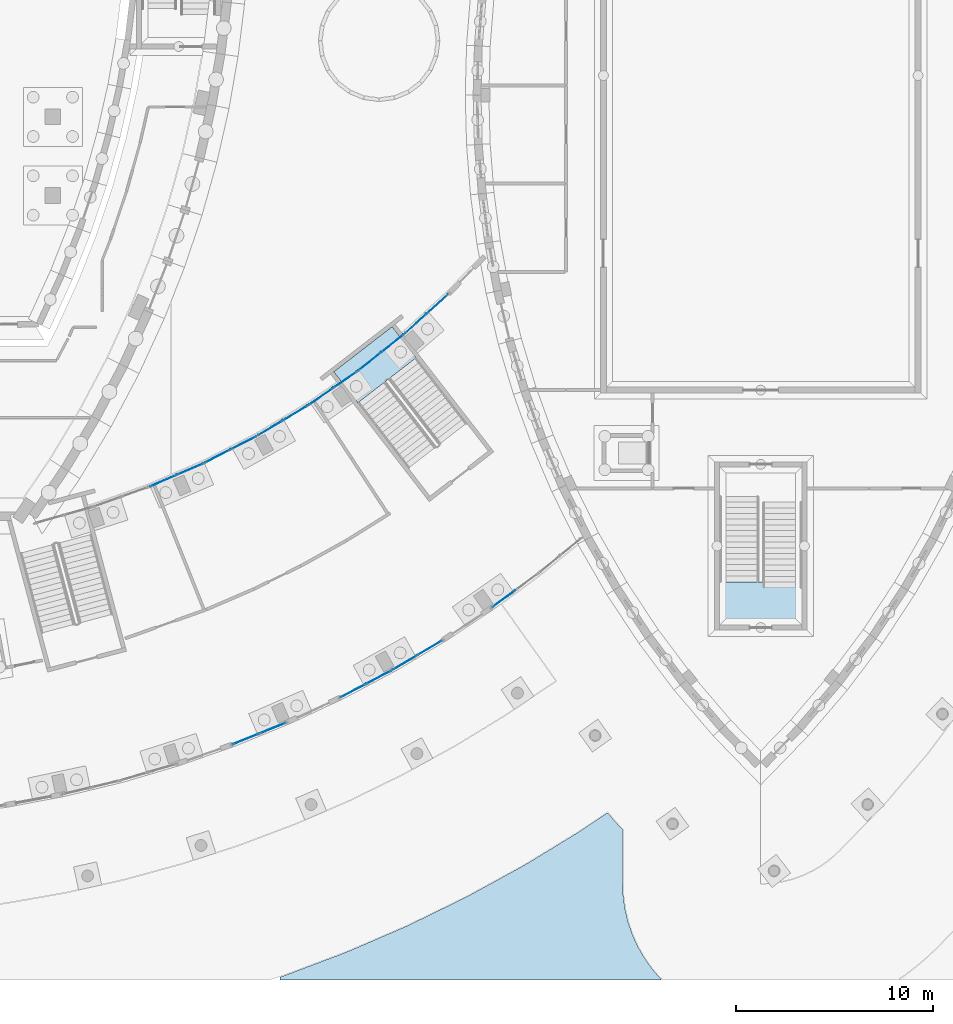
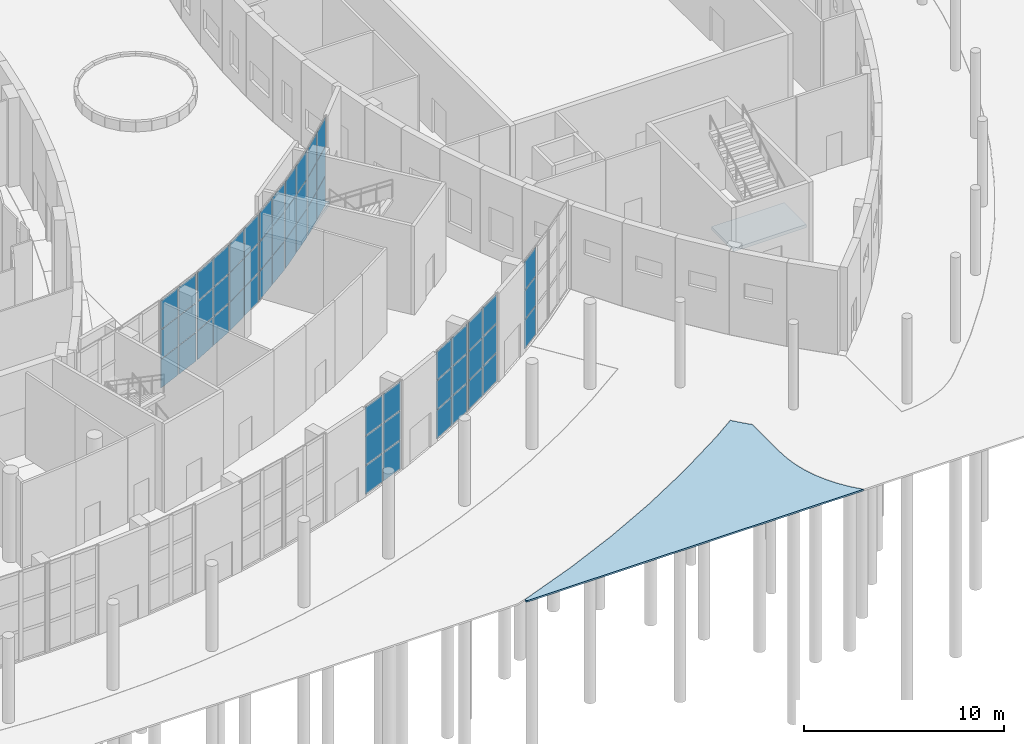
# One storey, part 32 of 82: 57 plates, 3 slabs, 12 elements without a shape of their own.
"""IFC4 building model written with IfcOpenShell, lengths in metres."""

from ifc_helpers import new_model, si_unit, direction, frame, origin, origin_2d, place, context, subcontext, project, spatial, polyline, rectangle, outline, extrude, material, layer, layer_set, type_object, element, aggregate, save


model = new_model("IFC4")

# Units and contexts
model_context = context("Model", 3, precision=1e-05, world=origin(), true_north=direction((0.0, 1.0)))
body_context = subcontext(model_context, "Body", "Model", "MODEL_VIEW")
ifc_project = project(units=[si_unit("LENGTHUNIT", "METRE"), si_unit("AREAUNIT", "SQUARE_METRE"), si_unit("VOLUMEUNIT", "CUBIC_METRE"), si_unit("PLANEANGLEUNIT", "RADIAN"), si_unit("MASSUNIT", "GRAM", prefix="KILO")], contexts=[model_context])

# Site, building, storey
site_placement = place(None, origin())
site = spatial("IfcSite", under=ifc_project, at=site_placement, CompositionType="ELEMENT")
building_placement = place(site_placement, origin())
building = spatial("IfcBuilding", under=site, at=building_placement, Name="Tide Square Theatres", CompositionType="ELEMENT")
storey_placement = place(building_placement, origin())
storey = spatial("IfcBuildingStorey", under=building, at=storey_placement, Name="L00", CompositionType="ELEMENT", Elevation=0.0)

# Curtain wall, plates
ifc_material_1 = material(Name="Aluminium 6063-T5", Category="aluminium")
curtain_wall_type = type_object("IfcCurtainWallType", Name="Unitised system curtain wall 5400 high", PredefinedType="USERDEFINED", material=ifc_material_1)
curtain_wall_1_placement = place(storey_placement, origin())
curtain_wall_1 = element("IfcCurtainWall", 1, at=curtain_wall_1_placement, inside=storey, type_object=curtain_wall_type, Name="Foyer outer curtain wall", ObjectType="UNITISED SYSTEM", PredefinedType="USERDEFINED")
ifc_material_2 = material(Name="Double-glazed unit with aluminium frame", Category="aluminium")
ifc_layer_1 = layer(ifc_material_2, 0.030029296875)
ifc_layer_set_1 = layer_set([ifc_layer_1], Name="Double-glazed unit with aluminium frame")
plate_type = type_object("IfcPlateType", Name="Curtain wall panel 30 thick", PredefinedType="CURTAIN_PANEL", material=ifc_layer_set_1)
plate_1_placement = place(storey_placement, frame((105.810546875, 12.254150390625, 0.050048828125), z_axis=(0.0, 0.0, 1.0), x_axis=(0.9267285887, 0.375731450489, 0.0)))
plate_1 = element("IfcPlate", 2, at=plate_1_placement, type_object=plate_type, Name="CW-01 panel 1.1", PredefinedType="CURTAIN_PANEL", context=body_context, shape_type="SweptSolid", body=[
    extrude(rectangle(XDim=1.407958984375, YDim=0.030029296875, at=origin_2d()), origin(), (0.0, 0.0, 1.0), 1.72509765625),
])
plate_2_placement = place(storey_placement, frame((105.810546875, 12.254150390625, 1.824951171875), z_axis=(0.0, 0.0, 1.0), x_axis=(0.9267285887, 0.375731450489, 0.0)))
plate_2 = element("IfcPlate", 3, at=plate_2_placement, type_object=plate_type, Name="CW-01 panel 1.2", PredefinedType="CURTAIN_PANEL", context=body_context, shape_type="SweptSolid", body=[
    extrude(rectangle(XDim=1.407958984375, YDim=0.030029296875, at=origin_2d()), origin(), (0.0, 0.0, 1.0), 1.75),
])
plate_3_placement = place(storey_placement, frame((105.810546875, 12.254150390625, 3.625), z_axis=(0.0, 0.0, 1.0), x_axis=(0.9267285887, 0.375731450489, 0.0)))
plate_3 = element("IfcPlate", 4, at=plate_3_placement, type_object=plate_type, Name="CW-01 panel 1.3", PredefinedType="CURTAIN_PANEL", context=body_context, shape_type="SweptSolid", body=[
    extrude(rectangle(XDim=1.407958984375, YDim=0.030029296875, at=origin_2d()), origin(), (0.0, 0.0, 1.0), 1.72509765625),
])
plate_4_placement = place(storey_placement, frame((107.171142578125, 12.8056640625, 0.050048828125), z_axis=(0.0, 0.0, 1.0), x_axis=(0.9267285887, 0.375731450489, 0.0)))
plate_4 = element("IfcPlate", 5, at=plate_4_placement, type_object=plate_type, Name="CW-01 panel 2.1", PredefinedType="CURTAIN_PANEL", context=body_context, shape_type="SweptSolid", body=[
    extrude(rectangle(XDim=1.407958984375, YDim=0.030029296875, at=origin_2d()), origin(), (0.0, 0.0, 1.0), 1.72509765625),
])
plate_5_placement = place(storey_placement, frame((107.171142578125, 12.8056640625, 1.824951171875), z_axis=(0.0, 0.0, 1.0), x_axis=(0.9267285887, 0.375731450489, 0.0)))
plate_5 = element("IfcPlate", 6, at=plate_5_placement, type_object=plate_type, Name="CW-01 panel 2.2", PredefinedType="CURTAIN_PANEL", context=body_context, shape_type="SweptSolid", body=[
    extrude(rectangle(XDim=1.407958984375, YDim=0.030029296875, at=origin_2d()), origin(), (0.0, 0.0, 1.0), 1.75),
])
plate_6_placement = place(storey_placement, frame((107.171142578125, 12.8056640625, 3.625), z_axis=(0.0, 0.0, 1.0), x_axis=(0.9267285887, 0.375731450489, 0.0)))
plate_6 = element("IfcPlate", 7, at=plate_6_placement, type_object=plate_type, Name="CW-01 panel 2.3", PredefinedType="CURTAIN_PANEL", context=body_context, shape_type="SweptSolid", body=[
    extrude(rectangle(XDim=1.407958984375, YDim=0.030029296875, at=origin_2d()), origin(), (0.0, 0.0, 1.0), 1.72509765625),
])
aggregate(curtain_wall_1, [plate_1, plate_2, plate_3, plate_4, plate_5, plate_6])

curtain_wall_2_placement = place(storey_placement, origin())
curtain_wall_2 = element("IfcCurtainWall", 8, at=curtain_wall_2_placement, inside=storey, type_object=curtain_wall_type, Name="Foyer outer curtain wall", ObjectType="UNITISED SYSTEM", PredefinedType="USERDEFINED")
plate_7_placement = place(storey_placement, frame((111.271484375, 14.71240234375, 0.050048828125), z_axis=(0.0, 0.0, 1.0), x_axis=(0.88454506315, 0.466454747277, 0.0)))
plate_7 = element("IfcPlate", 9, at=plate_7_placement, type_object=plate_type, Name="CW-01 panel 1.1", PredefinedType="CURTAIN_PANEL", context=body_context, shape_type="SweptSolid", body=[
    extrude(rectangle(XDim=1.407958984375, YDim=0.030029296875, at=origin_2d()), origin(), (0.0, 0.0, 1.0), 1.72509765625),
])
plate_8_placement = place(storey_placement, frame((111.271484375, 14.71240234375, 1.824951171875), z_axis=(0.0, 0.0, 1.0), x_axis=(0.88454506315, 0.466454747277, 0.0)))
plate_8 = element("IfcPlate", 10, at=plate_8_placement, type_object=plate_type, Name="CW-01 panel 1.2", PredefinedType="CURTAIN_PANEL", context=body_context, shape_type="SweptSolid", body=[
    extrude(rectangle(XDim=1.407958984375, YDim=0.030029296875, at=origin_2d()), origin(), (0.0, 0.0, 1.0), 1.75),
])
plate_9_placement = place(storey_placement, frame((111.271484375, 14.71240234375, 3.625), z_axis=(0.0, 0.0, 1.0), x_axis=(0.88454506315, 0.466454747277, 0.0)))
plate_9 = element("IfcPlate", 11, at=plate_9_placement, type_object=plate_type, Name="CW-01 panel 1.3", PredefinedType="CURTAIN_PANEL", context=body_context, shape_type="SweptSolid", body=[
    extrude(rectangle(XDim=1.407958984375, YDim=0.030029296875, at=origin_2d()), origin(), (0.0, 0.0, 1.0), 1.72509765625),
])
plate_10_placement = place(storey_placement, frame((112.570068359375, 15.397216796875, 0.050048828125), z_axis=(0.0, 0.0, 1.0), x_axis=(0.88454506315, 0.466454747277, 0.0)))
plate_10 = element("IfcPlate", 12, at=plate_10_placement, type_object=plate_type, Name="CW-01 panel 2.1", PredefinedType="CURTAIN_PANEL", context=body_context, shape_type="SweptSolid", body=[
    extrude(rectangle(XDim=1.407958984375, YDim=0.030029296875, at=origin_2d()), origin(), (0.0, 0.0, 1.0), 1.72509765625),
])
plate_11_placement = place(storey_placement, frame((112.570068359375, 15.397216796875, 1.824951171875), z_axis=(0.0, 0.0, 1.0), x_axis=(0.88454506315, 0.466454747277, 0.0)))
plate_11 = element("IfcPlate", 13, at=plate_11_placement, type_object=plate_type, Name="CW-01 panel 2.2", PredefinedType="CURTAIN_PANEL", context=body_context, shape_type="SweptSolid", body=[
    extrude(rectangle(XDim=1.407958984375, YDim=0.030029296875, at=origin_2d()), origin(), (0.0, 0.0, 1.0), 1.75),
])
plate_12_placement = place(storey_placement, frame((112.570068359375, 15.397216796875, 3.625), z_axis=(0.0, 0.0, 1.0), x_axis=(0.88454506315, 0.466454747277, 0.0)))
plate_12 = element("IfcPlate", 14, at=plate_12_placement, type_object=plate_type, Name="CW-01 panel 2.3", PredefinedType="CURTAIN_PANEL", context=body_context, shape_type="SweptSolid", body=[
    extrude(rectangle(XDim=1.407958984375, YDim=0.030029296875, at=origin_2d()), origin(), (0.0, 0.0, 1.0), 1.72509765625),
])
aggregate(curtain_wall_2, [plate_7, plate_8, plate_9, plate_10, plate_11, plate_12])

curtain_wall_3_placement = place(storey_placement, origin())
curtain_wall_3 = element("IfcCurtainWall", 15, at=curtain_wall_3_placement, inside=storey, type_object=curtain_wall_type, Name="Foyer outer curtain wall", ObjectType="UNITISED SYSTEM", PredefinedType="USERDEFINED")
plate_13_placement = place(storey_placement, frame((113.90283203125, 16.143310546875, 0.050048828125), z_axis=(0.0, 0.0, 1.0), x_axis=(0.860100079703, 0.510125330576, 0.0)))
plate_13 = element("IfcPlate", 16, at=plate_13_placement, type_object=plate_type, Name="CW-01 panel 1.1", PredefinedType="CURTAIN_PANEL", context=body_context, shape_type="SweptSolid", body=[
    extrude(rectangle(XDim=1.407958984375, YDim=0.030029296875, at=origin_2d()), origin(), (0.0, 0.0, 1.0), 1.72509765625),
])
plate_14_placement = place(storey_placement, frame((113.90283203125, 16.143310546875, 1.824951171875), z_axis=(0.0, 0.0, 1.0), x_axis=(0.860100079703, 0.510125330576, 0.0)))
plate_14 = element("IfcPlate", 17, at=plate_14_placement, type_object=plate_type, Name="CW-01 panel 1.2", PredefinedType="CURTAIN_PANEL", context=body_context, shape_type="SweptSolid", body=[
    extrude(rectangle(XDim=1.407958984375, YDim=0.030029296875, at=origin_2d()), origin(), (0.0, 0.0, 1.0), 1.75),
])
plate_15_placement = place(storey_placement, frame((113.90283203125, 16.143310546875, 3.625), z_axis=(0.0, 0.0, 1.0), x_axis=(0.860100079703, 0.510125330576, 0.0)))
plate_15 = element("IfcPlate", 18, at=plate_15_placement, type_object=plate_type, Name="CW-01 panel 1.3", PredefinedType="CURTAIN_PANEL", context=body_context, shape_type="SweptSolid", body=[
    extrude(rectangle(XDim=1.407958984375, YDim=0.030029296875, at=origin_2d()), origin(), (0.0, 0.0, 1.0), 1.72509765625),
])
plate_16_placement = place(storey_placement, frame((115.16552734375, 16.89208984375, 0.050048828125), z_axis=(0.0, 0.0, 1.0), x_axis=(0.860100079703, 0.510125330576, 0.0)))
plate_16 = element("IfcPlate", 19, at=plate_16_placement, type_object=plate_type, Name="CW-01 panel 2.1", PredefinedType="CURTAIN_PANEL", context=body_context, shape_type="SweptSolid", body=[
    extrude(rectangle(XDim=1.407958984375, YDim=0.030029296875, at=origin_2d()), origin(), (0.0, 0.0, 1.0), 1.72509765625),
])
plate_17_placement = place(storey_placement, frame((115.16552734375, 16.89208984375, 1.824951171875), z_axis=(0.0, 0.0, 1.0), x_axis=(0.860100079703, 0.510125330576, 0.0)))
plate_17 = element("IfcPlate", 20, at=plate_17_placement, type_object=plate_type, Name="CW-01 panel 2.2", PredefinedType="CURTAIN_PANEL", context=body_context, shape_type="SweptSolid", body=[
    extrude(rectangle(XDim=1.407958984375, YDim=0.030029296875, at=origin_2d()), origin(), (0.0, 0.0, 1.0), 1.75),
])
plate_18_placement = place(storey_placement, frame((115.16552734375, 16.89208984375, 3.625), z_axis=(0.0, 0.0, 1.0), x_axis=(0.860100079703, 0.510125330576, 0.0)))
plate_18 = element("IfcPlate", 21, at=plate_18_placement, type_object=plate_type, Name="CW-01 panel 2.3", PredefinedType="CURTAIN_PANEL", context=body_context, shape_type="SweptSolid", body=[
    extrude(rectangle(XDim=1.407958984375, YDim=0.030029296875, at=origin_2d()), origin(), (0.0, 0.0, 1.0), 1.72509765625),
])
aggregate(curtain_wall_3, [plate_13, plate_14, plate_15, plate_16, plate_17, plate_18])

curtain_wall_4_placement = place(storey_placement, origin())
curtain_wall_4 = element("IfcCurtainWall", 22, at=curtain_wall_4_placement, inside=storey, type_object=curtain_wall_type, Name="Foyer outer curtain wall", ObjectType="UNITISED SYSTEM", PredefinedType="USERDEFINED")
plate_19_placement = place(storey_placement, frame((118.9345703125, 19.390625, 0.050048828125), z_axis=(0.0, 0.0, 1.0), x_axis=(0.804828419201, 0.593507553151, 0.0)))
plate_19 = element("IfcPlate", 23, at=plate_19_placement, type_object=plate_type, Name="CW-01 panel 1.1", PredefinedType="CURTAIN_PANEL", context=body_context, shape_type="SweptSolid", body=[
    extrude(rectangle(XDim=1.407958984375, YDim=0.030029296875, at=origin_2d()), origin(), (0.0, 0.0, 1.0), 1.72509765625),
])
plate_20_placement = place(storey_placement, frame((118.9345703125, 19.390625, 1.824951171875), z_axis=(0.0, 0.0, 1.0), x_axis=(0.804828419201, 0.593507553151, 0.0)))
plate_20 = element("IfcPlate", 24, at=plate_20_placement, type_object=plate_type, Name="CW-01 panel 1.2", PredefinedType="CURTAIN_PANEL", context=body_context, shape_type="SweptSolid", body=[
    extrude(rectangle(XDim=1.407958984375, YDim=0.030029296875, at=origin_2d()), origin(), (0.0, 0.0, 1.0), 1.75),
])
plate_21_placement = place(storey_placement, frame((118.9345703125, 19.390625, 3.625), z_axis=(0.0, 0.0, 1.0), x_axis=(0.804828419201, 0.593507553151, 0.0)))
plate_21 = element("IfcPlate", 25, at=plate_21_placement, type_object=plate_type, Name="CW-01 panel 1.3", PredefinedType="CURTAIN_PANEL", context=body_context, shape_type="SweptSolid", body=[
    extrude(rectangle(XDim=1.407958984375, YDim=0.030029296875, at=origin_2d()), origin(), (0.0, 0.0, 1.0), 1.72509765625),
])
aggregate(curtain_wall_4, [plate_19, plate_20, plate_21])

curtain_wall_5_placement = place(storey_placement, origin())
curtain_wall_5 = element("IfcCurtainWall", 26, at=curtain_wall_5_placement, inside=storey, type_object=curtain_wall_type, Name="Foyer inner curtain wall", ObjectType="UNITISED SYSTEM", PredefinedType="USERDEFINED")
plate_22_placement = place(storey_placement, frame((115.554443359375, 34.383056640625, 0.050048828125), z_axis=(0.0, 0.0, 1.0), x_axis=(-0.740072620645, -0.672526963156, 0.0)))
plate_22 = element("IfcPlate", 27, at=plate_22_placement, type_object=plate_type, Name="CW-01 panel 1.1", PredefinedType="CURTAIN_PANEL", context=body_context, shape_type="SweptSolid", body=[
    extrude(rectangle(XDim=1.428955078125, YDim=0.030029296875, at=origin_2d()), origin(), (0.0, 0.0, 1.0), 1.72509765625),
])
plate_23_placement = place(storey_placement, frame((115.554443359375, 34.383056640625, 1.824951171875), z_axis=(0.0, 0.0, 1.0), x_axis=(-0.740072620645, -0.672526963156, 0.0)))
plate_23 = element("IfcPlate", 28, at=plate_23_placement, type_object=plate_type, Name="CW-01 panel 1.2", PredefinedType="CURTAIN_PANEL", context=body_context, shape_type="SweptSolid", body=[
    extrude(rectangle(XDim=1.428955078125, YDim=0.030029296875, at=origin_2d()), origin(), (0.0, 0.0, 1.0), 1.75),
])
plate_24_placement = place(storey_placement, frame((115.554443359375, 34.383056640625, 3.625), z_axis=(0.0, 0.0, 1.0), x_axis=(-0.740072620645, -0.672526963156, 0.0)))
plate_24 = element("IfcPlate", 29, at=plate_24_placement, type_object=plate_type, Name="CW-01 panel 1.3", PredefinedType="CURTAIN_PANEL", context=body_context, shape_type="SweptSolid", body=[
    extrude(rectangle(XDim=1.428955078125, YDim=0.030029296875, at=origin_2d()), origin(), (0.0, 0.0, 1.0), 1.72509765625),
])
plate_25_placement = place(storey_placement, frame((114.452392578125, 33.3818359375, 0.050048828125), z_axis=(0.0, 0.0, 1.0), x_axis=(-0.740072620645, -0.672526963156, 0.0)))
plate_25 = element("IfcPlate", 30, at=plate_25_placement, type_object=plate_type, Name="CW-01 panel 2.1", PredefinedType="CURTAIN_PANEL", context=body_context, shape_type="SweptSolid", body=[
    extrude(rectangle(XDim=1.428955078125, YDim=0.030029296875, at=origin_2d()), origin(), (0.0, 0.0, 1.0), 1.72509765625),
])
plate_26_placement = place(storey_placement, frame((114.452392578125, 33.3818359375, 1.824951171875), z_axis=(0.0, 0.0, 1.0), x_axis=(-0.740072620645, -0.672526963156, 0.0)))
plate_26 = element("IfcPlate", 31, at=plate_26_placement, type_object=plate_type, Name="CW-01 panel 2.2", PredefinedType="CURTAIN_PANEL", context=body_context, shape_type="SweptSolid", body=[
    extrude(rectangle(XDim=1.428955078125, YDim=0.030029296875, at=origin_2d()), origin(), (0.0, 0.0, 1.0), 1.75),
])
plate_27_placement = place(storey_placement, frame((114.452392578125, 33.3818359375, 3.625), z_axis=(0.0, 0.0, 1.0), x_axis=(-0.740072620645, -0.672526963156, 0.0)))
plate_27 = element("IfcPlate", 32, at=plate_27_placement, type_object=plate_type, Name="CW-01 panel 2.3", PredefinedType="CURTAIN_PANEL", context=body_context, shape_type="SweptSolid", body=[
    extrude(rectangle(XDim=1.428955078125, YDim=0.030029296875, at=origin_2d()), origin(), (0.0, 0.0, 1.0), 1.72509765625),
])
aggregate(curtain_wall_5, [plate_22, plate_23, plate_24, plate_25, plate_26, plate_27])

curtain_wall_6_placement = place(storey_placement, origin())
curtain_wall_6 = element("IfcCurtainWall", 33, at=curtain_wall_6_placement, inside=storey, type_object=curtain_wall_type, Name="Foyer inner curtain wall", ObjectType="UNITISED SYSTEM", PredefinedType="USERDEFINED")
plate_28_placement = place(storey_placement, frame((113.27294921875, 32.37890625, 0.050048828125), z_axis=(0.0, 0.0, 1.0), x_axis=(-0.782747188343, -0.622339810024, 0.0)))
plate_28 = element("IfcPlate", 34, at=plate_28_placement, type_object=plate_type, Name="CW-01 panel 1.1", PredefinedType="CURTAIN_PANEL", context=body_context, shape_type="SweptSolid", body=[
    extrude(rectangle(XDim=1.428955078125, YDim=0.030029296875, at=origin_2d()), origin(), (0.0, 0.0, 1.0), 1.72509765625),
])
plate_29_placement = place(storey_placement, frame((113.27294921875, 32.37890625, 1.824951171875), z_axis=(0.0, 0.0, 1.0), x_axis=(-0.782747188343, -0.622339810024, 0.0)))
plate_29 = element("IfcPlate", 35, at=plate_29_placement, type_object=plate_type, Name="CW-01 panel 1.2", PredefinedType="CURTAIN_PANEL", context=body_context, shape_type="SweptSolid", body=[
    extrude(rectangle(XDim=1.428955078125, YDim=0.030029296875, at=origin_2d()), origin(), (0.0, 0.0, 1.0), 1.75),
])
plate_30_placement = place(storey_placement, frame((113.27294921875, 32.37890625, 3.625), z_axis=(0.0, 0.0, 1.0), x_axis=(-0.782747188343, -0.622339810024, 0.0)))
plate_30 = element("IfcPlate", 36, at=plate_30_placement, type_object=plate_type, Name="CW-01 panel 1.3", PredefinedType="CURTAIN_PANEL", context=body_context, shape_type="SweptSolid", body=[
    extrude(rectangle(XDim=1.428955078125, YDim=0.030029296875, at=origin_2d()), origin(), (0.0, 0.0, 1.0), 1.72509765625),
])
plate_31_placement = place(storey_placement, frame((112.107421875, 31.452392578125, 0.050048828125), z_axis=(0.0, 0.0, 1.0), x_axis=(-0.782747188343, -0.622339810024, 0.0)))
plate_31 = element("IfcPlate", 37, at=plate_31_placement, type_object=plate_type, Name="CW-01 panel 2.1", PredefinedType="CURTAIN_PANEL", context=body_context, shape_type="SweptSolid", body=[
    extrude(rectangle(XDim=1.428955078125, YDim=0.030029296875, at=origin_2d()), origin(), (0.0, 0.0, 1.0), 1.72509765625),
])
plate_32_placement = place(storey_placement, frame((112.107421875, 31.452392578125, 1.824951171875), z_axis=(0.0, 0.0, 1.0), x_axis=(-0.782747188343, -0.622339810024, 0.0)))
plate_32 = element("IfcPlate", 38, at=plate_32_placement, type_object=plate_type, Name="CW-01 panel 2.2", PredefinedType="CURTAIN_PANEL", context=body_context, shape_type="SweptSolid", body=[
    extrude(rectangle(XDim=1.428955078125, YDim=0.030029296875, at=origin_2d()), origin(), (0.0, 0.0, 1.0), 1.75),
])
plate_33_placement = place(storey_placement, frame((112.107421875, 31.452392578125, 3.625), z_axis=(0.0, 0.0, 1.0), x_axis=(-0.782747188343, -0.622339810024, 0.0)))
plate_33 = element("IfcPlate", 39, at=plate_33_placement, type_object=plate_type, Name="CW-01 panel 2.3", PredefinedType="CURTAIN_PANEL", context=body_context, shape_type="SweptSolid", body=[
    extrude(rectangle(XDim=1.428955078125, YDim=0.030029296875, at=origin_2d()), origin(), (0.0, 0.0, 1.0), 1.72509765625),
])
aggregate(curtain_wall_6, [plate_28, plate_29, plate_30, plate_31, plate_32, plate_33])

curtain_wall_7_placement = place(storey_placement, origin())
curtain_wall_7 = element("IfcCurtainWall", 40, at=curtain_wall_7_placement, inside=storey, type_object=curtain_wall_type, Name="Foyer inner curtain wall", ObjectType="UNITISED SYSTEM", PredefinedType="USERDEFINED")
plate_34_placement = place(storey_placement, frame((110.86474609375, 30.529296875, 0.050048828125), z_axis=(0.0, 0.0, 1.0), x_axis=(-0.822012026751, -0.569470129047, 0.0)))
plate_34 = element("IfcPlate", 41, at=plate_34_placement, type_object=plate_type, Name="CW-01 panel 1.1", PredefinedType="CURTAIN_PANEL", context=body_context, shape_type="SweptSolid", body=[
    extrude(rectangle(XDim=1.428955078125, YDim=0.030029296875, at=origin_2d()), origin(), (0.0, 0.0, 1.0), 1.72509765625),
])
plate_35_placement = place(storey_placement, frame((110.86474609375, 30.529296875, 1.824951171875), z_axis=(0.0, 0.0, 1.0), x_axis=(-0.822012026751, -0.569470129047, 0.0)))
plate_35 = element("IfcPlate", 42, at=plate_35_placement, type_object=plate_type, Name="CW-01 panel 1.2", PredefinedType="CURTAIN_PANEL", context=body_context, shape_type="SweptSolid", body=[
    extrude(rectangle(XDim=1.428955078125, YDim=0.030029296875, at=origin_2d()), origin(), (0.0, 0.0, 1.0), 1.75),
])
plate_36_placement = place(storey_placement, frame((110.86474609375, 30.529296875, 3.625), z_axis=(0.0, 0.0, 1.0), x_axis=(-0.822012026751, -0.569470129047, 0.0)))
plate_36 = element("IfcPlate", 43, at=plate_36_placement, type_object=plate_type, Name="CW-01 panel 1.3", PredefinedType="CURTAIN_PANEL", context=body_context, shape_type="SweptSolid", body=[
    extrude(rectangle(XDim=1.428955078125, YDim=0.030029296875, at=origin_2d()), origin(), (0.0, 0.0, 1.0), 1.72509765625),
])
plate_37_placement = place(storey_placement, frame((109.640625, 29.681396484375, 0.050048828125), z_axis=(0.0, 0.0, 1.0), x_axis=(-0.822012026751, -0.569470129047, 0.0)))
plate_37 = element("IfcPlate", 44, at=plate_37_placement, type_object=plate_type, Name="CW-01 panel 2.1", PredefinedType="CURTAIN_PANEL", context=body_context, shape_type="SweptSolid", body=[
    extrude(rectangle(XDim=1.428955078125, YDim=0.030029296875, at=origin_2d()), origin(), (0.0, 0.0, 1.0), 1.72509765625),
])
plate_38_placement = place(storey_placement, frame((109.640625, 29.681396484375, 1.824951171875), z_axis=(0.0, 0.0, 1.0), x_axis=(-0.822012026751, -0.569470129047, 0.0)))
plate_38 = element("IfcPlate", 45, at=plate_38_placement, type_object=plate_type, Name="CW-01 panel 2.2", PredefinedType="CURTAIN_PANEL", context=body_context, shape_type="SweptSolid", body=[
    extrude(rectangle(XDim=1.428955078125, YDim=0.030029296875, at=origin_2d()), origin(), (0.0, 0.0, 1.0), 1.75),
])
plate_39_placement = place(storey_placement, frame((109.640625, 29.681396484375, 3.625), z_axis=(0.0, 0.0, 1.0), x_axis=(-0.822012026751, -0.569470129047, 0.0)))
plate_39 = element("IfcPlate", 46, at=plate_39_placement, type_object=plate_type, Name="CW-01 panel 2.3", PredefinedType="CURTAIN_PANEL", context=body_context, shape_type="SweptSolid", body=[
    extrude(rectangle(XDim=1.428955078125, YDim=0.030029296875, at=origin_2d()), origin(), (0.0, 0.0, 1.0), 1.72509765625),
])
aggregate(curtain_wall_7, [plate_34, plate_35, plate_36, plate_37, plate_38, plate_39])

curtain_wall_8_placement = place(storey_placement, origin())
curtain_wall_8 = element("IfcCurtainWall", 47, at=curtain_wall_8_placement, inside=storey, type_object=curtain_wall_type, Name="Foyer inner curtain wall", ObjectType="UNITISED SYSTEM", PredefinedType="USERDEFINED")
plate_40_placement = place(storey_placement, frame((108.33984375, 28.842041015625, 0.050048828125), z_axis=(0.0, 0.0, 1.0), x_axis=(-0.857713583116, -0.514127814204, 0.0)))
plate_40 = element("IfcPlate", 48, at=plate_40_placement, type_object=plate_type, Name="CW-01 panel 1.1", PredefinedType="CURTAIN_PANEL", context=body_context, shape_type="SweptSolid", body=[
    extrude(rectangle(XDim=1.428955078125, YDim=0.030029296875, at=origin_2d()), origin(), (0.0, 0.0, 1.0), 1.72509765625),
])
plate_41_placement = place(storey_placement, frame((108.33984375, 28.842041015625, 1.824951171875), z_axis=(0.0, 0.0, 1.0), x_axis=(-0.857713583116, -0.514127814204, 0.0)))
plate_41 = element("IfcPlate", 49, at=plate_41_placement, type_object=plate_type, Name="CW-01 panel 1.2", PredefinedType="CURTAIN_PANEL", context=body_context, shape_type="SweptSolid", body=[
    extrude(rectangle(XDim=1.428955078125, YDim=0.030029296875, at=origin_2d()), origin(), (0.0, 0.0, 1.0), 1.75),
])
plate_42_placement = place(storey_placement, frame((108.33984375, 28.842041015625, 3.625), z_axis=(0.0, 0.0, 1.0), x_axis=(-0.857713583116, -0.514127814204, 0.0)))
plate_42 = element("IfcPlate", 50, at=plate_42_placement, type_object=plate_type, Name="CW-01 panel 1.3", PredefinedType="CURTAIN_PANEL", context=body_context, shape_type="SweptSolid", body=[
    extrude(rectangle(XDim=1.428955078125, YDim=0.030029296875, at=origin_2d()), origin(), (0.0, 0.0, 1.0), 1.72509765625),
])
plate_43_placement = place(storey_placement, frame((107.062744140625, 28.07666015625, 0.050048828125), z_axis=(0.0, 0.0, 1.0), x_axis=(-0.857713583116, -0.514127814204, 0.0)))
plate_43 = element("IfcPlate", 51, at=plate_43_placement, type_object=plate_type, Name="CW-01 panel 2.1", PredefinedType="CURTAIN_PANEL", context=body_context, shape_type="SweptSolid", body=[
    extrude(rectangle(XDim=1.428955078125, YDim=0.030029296875, at=origin_2d()), origin(), (0.0, 0.0, 1.0), 1.72509765625),
])
plate_44_placement = place(storey_placement, frame((107.062744140625, 28.07666015625, 1.824951171875), z_axis=(0.0, 0.0, 1.0), x_axis=(-0.857713583116, -0.514127814204, 0.0)))
plate_44 = element("IfcPlate", 52, at=plate_44_placement, type_object=plate_type, Name="CW-01 panel 2.2", PredefinedType="CURTAIN_PANEL", context=body_context, shape_type="SweptSolid", body=[
    extrude(rectangle(XDim=1.428955078125, YDim=0.030029296875, at=origin_2d()), origin(), (0.0, 0.0, 1.0), 1.75),
])
plate_45_placement = place(storey_placement, frame((107.062744140625, 28.07666015625, 3.625), z_axis=(0.0, 0.0, 1.0), x_axis=(-0.857713583116, -0.514127814204, 0.0)))
plate_45 = element("IfcPlate", 53, at=plate_45_placement, type_object=plate_type, Name="CW-01 panel 2.3", PredefinedType="CURTAIN_PANEL", context=body_context, shape_type="SweptSolid", body=[
    extrude(rectangle(XDim=1.428955078125, YDim=0.030029296875, at=origin_2d()), origin(), (0.0, 0.0, 1.0), 1.72509765625),
])
aggregate(curtain_wall_8, [plate_40, plate_41, plate_42, plate_43, plate_44, plate_45])

curtain_wall_9_placement = place(storey_placement, origin())
curtain_wall_9 = element("IfcCurtainWall", 54, at=curtain_wall_9_placement, inside=storey, type_object=curtain_wall_type, Name="Foyer inner curtain wall", ObjectType="UNITISED SYSTEM", PredefinedType="USERDEFINED")
plate_46_placement = place(storey_placement, frame((105.70947265625, 27.32470703125, 0.050048828125), z_axis=(0.0, 0.0, 1.0), x_axis=(-0.889690625476, -0.456563895791, 0.0)))
plate_46 = element("IfcPlate", 55, at=plate_46_placement, type_object=plate_type, Name="CW-01 panel 1.1", PredefinedType="CURTAIN_PANEL", context=body_context, shape_type="SweptSolid", body=[
    extrude(rectangle(XDim=1.428955078125, YDim=0.030029296875, at=origin_2d()), origin(), (0.0, 0.0, 1.0), 1.72509765625),
])
plate_47_placement = place(storey_placement, frame((105.70947265625, 27.32470703125, 1.824951171875), z_axis=(0.0, 0.0, 1.0), x_axis=(-0.889690625476, -0.456563895791, 0.0)))
plate_47 = element("IfcPlate", 56, at=plate_47_placement, type_object=plate_type, Name="CW-01 panel 1.2", PredefinedType="CURTAIN_PANEL", context=body_context, shape_type="SweptSolid", body=[
    extrude(rectangle(XDim=1.428955078125, YDim=0.030029296875, at=origin_2d()), origin(), (0.0, 0.0, 1.0), 1.75),
])
plate_48_placement = place(storey_placement, frame((105.70947265625, 27.32470703125, 3.625), z_axis=(0.0, 0.0, 1.0), x_axis=(-0.889690625476, -0.456563895791, 0.0)))
plate_48 = element("IfcPlate", 57, at=plate_48_placement, type_object=plate_type, Name="CW-01 panel 1.3", PredefinedType="CURTAIN_PANEL", context=body_context, shape_type="SweptSolid", body=[
    extrude(rectangle(XDim=1.428955078125, YDim=0.030029296875, at=origin_2d()), origin(), (0.0, 0.0, 1.0), 1.72509765625),
])
plate_49_placement = place(storey_placement, frame((104.384765625, 26.64501953125, 0.050048828125), z_axis=(0.0, 0.0, 1.0), x_axis=(-0.889690625476, -0.456563895791, 0.0)))
plate_49 = element("IfcPlate", 58, at=plate_49_placement, type_object=plate_type, Name="CW-01 panel 2.1", PredefinedType="CURTAIN_PANEL", context=body_context, shape_type="SweptSolid", body=[
    extrude(rectangle(XDim=1.428955078125, YDim=0.030029296875, at=origin_2d()), origin(), (0.0, 0.0, 1.0), 1.72509765625),
])
plate_50_placement = place(storey_placement, frame((104.384765625, 26.64501953125, 1.824951171875), z_axis=(0.0, 0.0, 1.0), x_axis=(-0.889690625476, -0.456563895791, 0.0)))
plate_50 = element("IfcPlate", 59, at=plate_50_placement, type_object=plate_type, Name="CW-01 panel 2.2", PredefinedType="CURTAIN_PANEL", context=body_context, shape_type="SweptSolid", body=[
    extrude(rectangle(XDim=1.428955078125, YDim=0.030029296875, at=origin_2d()), origin(), (0.0, 0.0, 1.0), 1.75),
])
plate_51_placement = place(storey_placement, frame((104.384765625, 26.64501953125, 3.625), z_axis=(0.0, 0.0, 1.0), x_axis=(-0.889690625476, -0.456563895791, 0.0)))
plate_51 = element("IfcPlate", 60, at=plate_51_placement, type_object=plate_type, Name="CW-01 panel 2.3", PredefinedType="CURTAIN_PANEL", context=body_context, shape_type="SweptSolid", body=[
    extrude(rectangle(XDim=1.428955078125, YDim=0.030029296875, at=origin_2d()), origin(), (0.0, 0.0, 1.0), 1.72509765625),
])
aggregate(curtain_wall_9, [plate_46, plate_47, plate_48, plate_49, plate_50, plate_51])

curtain_wall_10_placement = place(storey_placement, origin())
curtain_wall_10 = element("IfcCurtainWall", 61, at=curtain_wall_10_placement, inside=storey, type_object=curtain_wall_type, Name="Foyer inner curtain wall", ObjectType="UNITISED SYSTEM", PredefinedType="USERDEFINED")
plate_52_placement = place(storey_placement, frame((102.98486328125, 25.98388671875, 0.050048828125), z_axis=(0.0, 0.0, 1.0), x_axis=(-0.917827215549, -0.396980103276, 0.0)))
plate_52 = element("IfcPlate", 62, at=plate_52_placement, type_object=plate_type, Name="CW-01 panel 1.1", PredefinedType="CURTAIN_PANEL", context=body_context, shape_type="SweptSolid", body=[
    extrude(rectangle(XDim=1.428955078125, YDim=0.030029296875, at=origin_2d()), origin(), (0.0, 0.0, 1.0), 1.72509765625),
])
plate_53_placement = place(storey_placement, frame((102.98486328125, 25.98388671875, 1.824951171875), z_axis=(0.0, 0.0, 1.0), x_axis=(-0.917827215549, -0.396980103276, 0.0)))
plate_53 = element("IfcPlate", 63, at=plate_53_placement, type_object=plate_type, Name="CW-01 panel 1.2", PredefinedType="CURTAIN_PANEL", context=body_context, shape_type="SweptSolid", body=[
    extrude(rectangle(XDim=1.428955078125, YDim=0.030029296875, at=origin_2d()), origin(), (0.0, 0.0, 1.0), 1.75),
])
plate_54_placement = place(storey_placement, frame((102.98486328125, 25.98388671875, 3.625), z_axis=(0.0, 0.0, 1.0), x_axis=(-0.917827215549, -0.396980103276, 0.0)))
plate_54 = element("IfcPlate", 64, at=plate_54_placement, type_object=plate_type, Name="CW-01 panel 1.3", PredefinedType="CURTAIN_PANEL", context=body_context, shape_type="SweptSolid", body=[
    extrude(rectangle(XDim=1.428955078125, YDim=0.030029296875, at=origin_2d()), origin(), (0.0, 0.0, 1.0), 1.72509765625),
])
plate_55_placement = place(storey_placement, frame((101.6181640625, 25.392822265625, 0.050048828125), z_axis=(0.0, 0.0, 1.0), x_axis=(-0.917827215549, -0.396980103276, 0.0)))
plate_55 = element("IfcPlate", 65, at=plate_55_placement, type_object=plate_type, Name="CW-01 panel 2.1", PredefinedType="CURTAIN_PANEL", context=body_context, shape_type="SweptSolid", body=[
    extrude(rectangle(XDim=1.428955078125, YDim=0.030029296875, at=origin_2d()), origin(), (0.0, 0.0, 1.0), 1.72509765625),
])
plate_56_placement = place(storey_placement, frame((101.6181640625, 25.392822265625, 1.824951171875), z_axis=(0.0, 0.0, 1.0), x_axis=(-0.917827215549, -0.396980103276, 0.0)))
plate_56 = element("IfcPlate", 66, at=plate_56_placement, type_object=plate_type, Name="CW-01 panel 2.2", PredefinedType="CURTAIN_PANEL", context=body_context, shape_type="SweptSolid", body=[
    extrude(rectangle(XDim=1.428955078125, YDim=0.030029296875, at=origin_2d()), origin(), (0.0, 0.0, 1.0), 1.75),
])
plate_57_placement = place(storey_placement, frame((101.6181640625, 25.392822265625, 3.625), z_axis=(0.0, 0.0, 1.0), x_axis=(-0.917827215549, -0.396980103276, 0.0)))
plate_57 = element("IfcPlate", 67, at=plate_57_placement, type_object=plate_type, Name="CW-01 panel 2.3", PredefinedType="CURTAIN_PANEL", context=body_context, shape_type="SweptSolid", body=[
    extrude(rectangle(XDim=1.428955078125, YDim=0.030029296875, at=origin_2d()), origin(), (0.0, 0.0, 1.0), 1.72509765625),
])
aggregate(curtain_wall_10, [plate_52, plate_53, plate_54, plate_55, plate_56, plate_57])

# Slab
ifc_material_3 = material(Name="Concrete C30", Category="concrete")
ifc_layer_2 = layer(ifc_material_3, 0.10009765625)
ifc_layer_set_2 = layer_set([ifc_layer_2], Name="Concrete C30")
slab_type_1 = type_object("IfcSlabType", Name="Paving slab 100", PredefinedType="USERDEFINED", material=ifc_layer_set_2)
slab_1_placement = place(storey_placement, frame((0.0, 0.0, -0.10009765625)))
element("IfcSlab", 68, at=slab_1_placement, inside=storey, type_object=slab_type_1, Name="Square paving", ObjectType="PAVING", PredefinedType="USERDEFINED", context=body_context, shape_type="SweptSolid", body=[
    extrude(outline(polyline([(107.564697265625, 0.0), (126.9677734375, 0.0), (126.921142578125, 0.0537109375), (126.4833984375, 0.55859375), (126.095458984375, 1.10302734375), (125.760986328125, 1.681640625), (125.4833984375, 2.289794921875), (125.2646484375, 2.92138671875), (125.10693359375, 3.57080078125), (125.01171875, 4.232421875), (124.97998046875, 4.8994140625), (124.97998046875, 7.654296875), (124.841552734375, 7.796875), (124.542236328125, 8.125732421875), (124.2109375, 8.513427734375), (123.0029296875, 7.695556640625), (122.7265625, 7.517578125), (120.13330078125, 5.93359375), (119.848876953125, 5.768798828125), (117.18408203125, 4.30810546875), (116.892333984375, 4.15673828125), (114.162109375, 2.822509765625), (113.863525390625, 2.68505859375), (111.07373046875, 1.480224609375), (110.76904296875, 1.357177734375), (107.92578125, 0.2841796875), (107.53955078125, 0.138427734375), (107.564697265625, 0.0)])), origin(), (0.0, 0.0, 1.0), 0.10009765625),
])

# Stair, slab
ifc_material_4 = material(Name="Concrete C35", Category="concrete")
stair_type_1 = type_object("IfcStairType", Name="Stair half turn 2000 wide, 32 risers, rise 5400", PredefinedType="HALF_TURN_STAIR", material=ifc_material_4)
stair_1_placement = place(storey_placement, origin())
stair_1 = element("IfcStair", 69, at=stair_1_placement, inside=storey, type_object=stair_type_1, Name="Black Box Theatre Stair B2", PredefinedType="HALF_TURN_STAIR")
ifc_material_5 = material(Name="Concrete C35", Category="concrete")
ifc_layer_3 = layer(ifc_material_5, 0.199951171875)
ifc_layer_set_3 = layer_set([ifc_layer_3], Name="Concrete C35")
slab_type_2 = type_object("IfcSlabType", Name="RC landing slab 200", PredefinedType="LANDING", material=ifc_layer_set_3)
slab_2_placement = place(storey_placement, frame((0.0, 0.0, 2.5)))
slab_2 = element("IfcSlab", 70, at=slab_2_placement, type_object=slab_type_2, Name="ST-2000-5400 landing 1", PredefinedType="LANDING", context=body_context, shape_type="SweptSolid", body=[
    extrude(outline(polyline([(129.89990234375, 20.25), (129.89990234375, 18.050048828125), (134.10009765625, 18.050048828125), (134.10009765625, 20.25), (129.89990234375, 20.25)])), origin(), (0.0, 0.0, 1.0), 0.199951171875),
])
aggregate(stair_1, [slab_2])

ifc_material_6 = material(Name="Concrete C35", Category="concrete")
stair_type_2 = type_object("IfcStairType", Name="Foyer exit stair half turn 1200 wide", PredefinedType="HALF_TURN_STAIR", material=ifc_material_6)
stair_2_placement = place(storey_placement, origin())
stair_2 = element("IfcStair", 71, at=stair_2_placement, inside=storey, type_object=stair_type_2, Name="L00 Exit stair F2", PredefinedType="HALF_TURN_STAIR")
slab_3_placement = place(storey_placement, frame((0.0, 0.0, 2.5)))
slab_3 = element("IfcSlab", 72, at=slab_3_placement, type_object=slab_type_2, Name="F2 landing 1", PredefinedType="LANDING", context=body_context, shape_type="SweptSolid", body=[
    extrude(outline(polyline([(114.47509765625, 31.645751953125), (113.251220703125, 33.228759765625), (110.284423828125, 30.93505859375), (111.50830078125, 29.35205078125), (114.47509765625, 31.645751953125)])), origin(), (0.0, 0.0, 1.0), 0.199951171875),
])
aggregate(stair_2, [slab_3])

save(model, "model.ifc")
